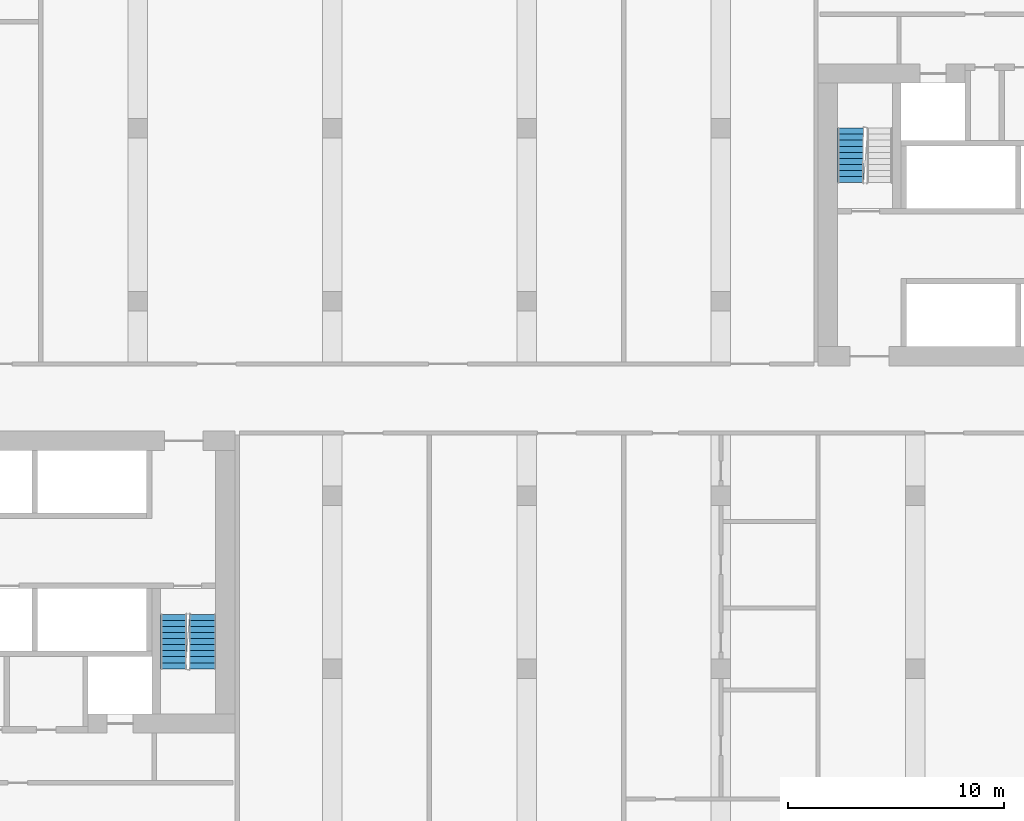
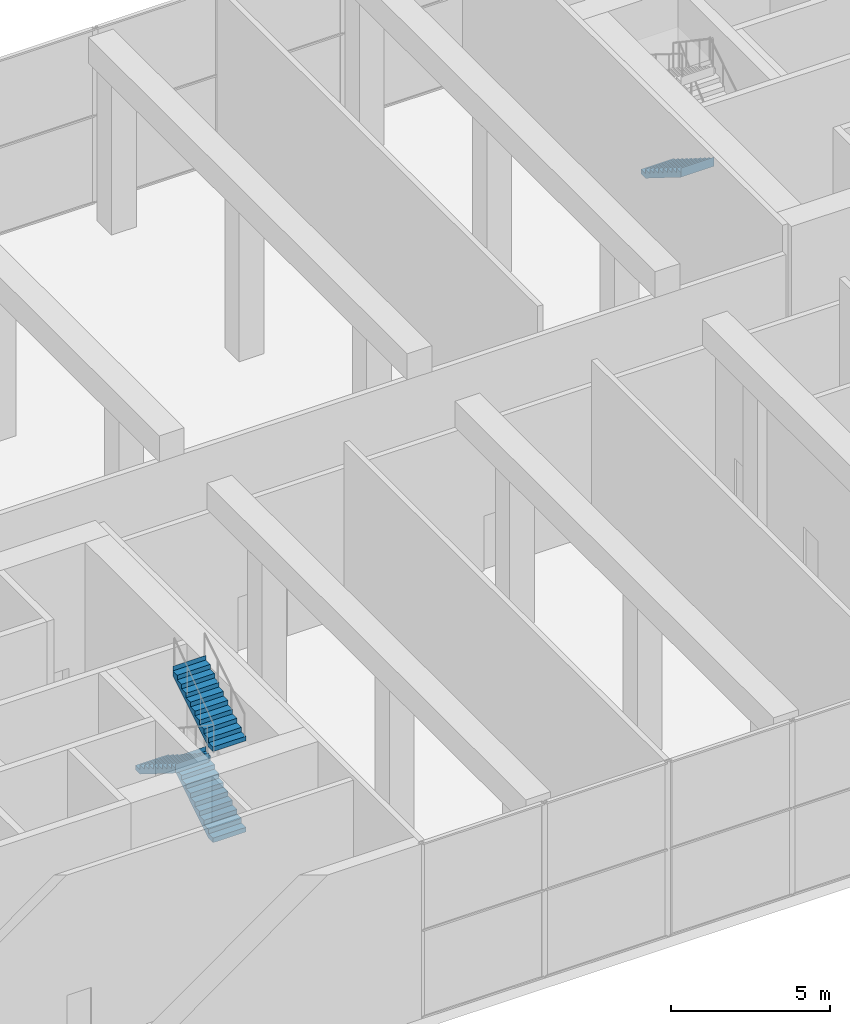
# One storey, part 18 of 23: 4 stair flights, 2 elements without a shape of their own.
"""IFC4 building model written with IfcOpenShell, lengths in metres."""

import ifcopenshell
import ifcopenshell.guid

model = None  # the IFC model being written
_history = None  # IfcOwnerHistory: only IFC2X3 demands one
_inside = {}  # id of a spatial element -> (the spatial element, [elements in it])
_under = {}  # id of a project, library or spatial element -> (it, [spatial elements below it])
_declared = {}  # id of a project -> (the project, [libraries it declares])
_typed = {}  # id of a type object -> (the type object, [elements of that type])
_made_of = {}  # id of a material, layer set ... -> (it, [elements and type objects made of it])


def new_model(schema):
    """Start an empty IFC model of exactly this schema.

    Asked for "IFC4X3", IfcOpenShell would pick the latest addendum, in which some entities
    have other attributes; the version numbers below select the first issue.
    IFC2X3 requires an IfcOwnerHistory on every rooted entity: one is made here for all.
    """
    global model, _history
    if schema == "IFC4X3":
        model = ifcopenshell.file(schema_version=(4, 3, 0, 0))
    else:
        model = ifcopenshell.file(schema=schema)
    _inside.clear()
    _under.clear()
    _declared.clear()
    _typed.clear()
    _made_of.clear()
    _history = None
    if model.schema == "IFC2X3":
        org = make("IfcOrganization", Name="unknown")
        user = make(
            "IfcPersonAndOrganization",
            ThePerson=make("IfcPerson", FamilyName="unknown"),
            TheOrganization=org,
        )
        app = make(
            "IfcApplication",
            ApplicationDeveloper=org,
            Version="unknown",
            ApplicationFullName="unknown",
            ApplicationIdentifier="unknown",
        )
        _history = make(
            "IfcOwnerHistory",
            OwningUser=user,
            OwningApplication=app,
            ChangeAction="ADDED",
            CreationDate=0,
        )
    return model


def make(cls, **values):
    """One entity of the class cls with the attributes given. An attribute that is None is left unset."""
    return model.create_entity(
        cls, **{name: value for name, value in values.items() if value is not None}
    )


def rooted(cls, **values):
    """An entity with a GlobalId (a new one), such as an element, a storey or a relation."""
    return make(cls, GlobalId=ifcopenshell.guid.new(), OwnerHistory=_history, **values)


def si_unit(unit_type, name, prefix=None):
    """IfcSIUnit, for example si_unit("LENGTHUNIT", "METRE", prefix="MILLI")."""
    return make("IfcSIUnit", UnitType=unit_type, Prefix=prefix, Name=name)


def assignment(units):
    """IfcUnitAssignment: the units of a project."""
    return None if units is None else make("IfcUnitAssignment", Units=units)


def point(xyz):
    """IfcCartesianPoint."""
    return None if xyz is None else make("IfcCartesianPoint", Coordinates=xyz)


def direction(xyz):
    """IfcDirection."""
    return None if xyz is None else make("IfcDirection", DirectionRatios=xyz)


def frame(location, z_axis=None, x_axis=None):
    """IfcAxis2Placement3D, a coordinate frame: its origin and axes. An axis left out is left unset."""
    return make(
        "IfcAxis2Placement3D",
        Location=point(location),
        Axis=direction(z_axis),
        RefDirection=direction(x_axis),
    )


def origin():
    """The frame at (0, 0, 0) with its axes left unset."""
    return frame((0.0, 0.0, 0.0))


def place(relative_to, where):
    """IfcLocalPlacement: puts the frame where relative to a parent placement (None: the world)."""
    return make(
        "IfcLocalPlacement", PlacementRelTo=relative_to, RelativePlacement=where
    )


def context(
    kind, dimensions, precision=None, world=None, true_north=None, identifier=None
):
    """IfcGeometricRepresentationContext, for example the 3D "Model" context."""
    return make(
        "IfcGeometricRepresentationContext",
        ContextIdentifier=identifier,
        ContextType=kind,
        CoordinateSpaceDimension=dimensions,
        Precision=precision,
        WorldCoordinateSystem=world,
        TrueNorth=true_north,
    )


def subcontext(parent, identifier, kind, view, scale=None):
    """IfcGeometricRepresentationSubContext, for example "Body" below "Model"."""
    return make(
        "IfcGeometricRepresentationSubContext",
        ContextIdentifier=identifier,
        ContextType=kind,
        ParentContext=parent,
        TargetScale=scale,
        TargetView=view,
    )


def project(units=None, contexts=None):
    """IfcProject with its units and contexts."""
    return rooted(
        "IfcProject",
        Name="project",
        RepresentationContexts=contexts,
        UnitsInContext=assignment(units),
    )


def spatial(cls, under=None, at=None, **own):
    """A site, building, storey or space (cls), placed at a placement, below another one or the project."""
    s = rooted(cls, ObjectPlacement=at, **own)
    if under is not None:
        _under.setdefault(under.id(), (under, []))[1].append(s)
    return s


def faces_of(points, faces, orient=None, outer=None):
    """IfcFace entities. A face is a list of loops; a loop is a list of indices into points, from 0.

    orient and outer hold one flag for each loop. By default every Orientation is true, the
    first loop of a face is its IfcFaceOuterBound and the others are IfcFaceBound.
    """
    made = []
    for i, loops in enumerate(faces):
        bounds = []
        for j, loop in enumerate(loops):
            is_outer = j == 0 if outer is None else outer[i][j]
            bounds.append(
                make(
                    "IfcFaceOuterBound" if is_outer else "IfcFaceBound",
                    Bound=make("IfcPolyLoop", Polygon=[points[k] for k in loop]),
                    Orientation=True if orient is None else orient[i][j],
                )
            )
        made.append(make("IfcFace", Bounds=bounds))
    return made


def faceted_brep(points, faces, orient=None, outer=None, voids=None):
    """IfcFacetedBrep: a solid bounded by flat faces; with voids (closed shells), ...WithVoids."""
    shared = [point(p) for p in points]
    hull = make("IfcClosedShell", CfsFaces=faces_of(shared, faces, orient, outer))
    if voids is None:
        return make("IfcFacetedBrep", Outer=hull)
    return make(
        "IfcFacetedBrepWithVoids",
        Outer=hull,
        Voids=[
            make(cls, CfsFaces=faces_of(shared, fs, o, b)) for cls, fs, o, b in voids
        ],
    )


def shape(context_of_items, identifier, shape_type, items):
    """IfcShapeRepresentation: the items that make up one representation, for example the "Body"."""
    return make(
        "IfcShapeRepresentation",
        ContextOfItems=context_of_items,
        RepresentationIdentifier=identifier,
        RepresentationType=shape_type,
        Items=items,
    )


def material(Name=None, Category=None):
    """IfcMaterial."""
    return make("IfcMaterial", Name=Name, Category=Category)


def made_of(thing, what):
    """Note that an element or type object is made of a material, layer set ...; save() writes the relation."""
    if what is not None:
        _made_of.setdefault(what.id(), (what, []))[1].append(thing)
    return thing


def type_object(cls, material=None, **own):
    """A type object (cls), such as IfcWallType, which elements share."""
    return made_of(rooted(cls, **own), material)


def element(
    cls,
    number,
    at=None,
    inside=None,
    cuts=None,
    type_object=None,
    material=None,
    context=None,
    identifier="Body",
    shape_type=None,
    held_by="IfcProductDefinitionShape",
    body=None,
    shapes=None,
    **own,
):
    """One element of the class cls, such as IfcWall. Its Tag is "e" and its number.

    at: its placement. inside: the storey or other place that contains it. cuts: it is an
    opening in that element (IfcRelVoidsElement). A single representation is given by context,
    identifier, shape_type and body (its items); several are given by shapes. held_by: the class
    of the entity that holds the representations. save() writes the other relations.
    """
    e = rooted(cls, Tag="e%d" % number, ObjectPlacement=at, **own)
    if body is not None:
        shapes = [shape(context, identifier, shape_type, body)]
    if shapes is not None:
        e.Representation = make(held_by, Representations=shapes)
    if inside is not None:
        _inside.setdefault(inside.id(), (inside, []))[1].append(e)
    if cuts is not None:
        rooted(
            "IfcRelVoidsElement", RelatingBuildingElement=cuts, RelatedOpeningElement=e
        )
    if type_object is not None:
        _typed.setdefault(type_object.id(), (type_object, []))[1].append(e)
    return made_of(e, material)


def aggregate(whole, parts):
    """IfcRelAggregates: a whole, such as a stair, and the parts it consists of."""
    return rooted("IfcRelAggregates", RelatingObject=whole, RelatedObjects=parts)


def save(model, path):
    """Write the relations noted so far, then the file.

    IfcRelAggregates (storeys below a building ...), IfcRelContainedInSpatialStructure (elements
    in a storey), IfcRelDefinesByType, IfcRelAssociatesMaterial and IfcRelDeclares: one each for
    every whole, place, type object, material and project.
    """
    for whole, parts in _under.values():
        aggregate(whole, parts)
    for where, things in _inside.values():
        rooted(
            "IfcRelContainedInSpatialStructure",
            RelatedElements=things,
            RelatingStructure=where,
        )
    for kind, things in _typed.values():
        rooted("IfcRelDefinesByType", RelatedObjects=things, RelatingType=kind)
    for what, things in _made_of.values():
        rooted("IfcRelAssociatesMaterial", RelatedObjects=things, RelatingMaterial=what)
    for by, libraries in _declared.values():
        rooted("IfcRelDeclares", RelatingContext=by, RelatedDefinitions=libraries)
    model.write(path)


model = new_model("IFC4")

# Units and contexts
model_context = context("Model", 3, precision=1e-05, world=origin(), true_north=direction((0.0, 1.0)))
body_context = subcontext(model_context, "Body", "Model", "MODEL_VIEW")
ifc_project = project(units=[si_unit("LENGTHUNIT", "METRE"), si_unit("AREAUNIT", "SQUARE_METRE"), si_unit("VOLUMEUNIT", "CUBIC_METRE"), si_unit("PLANEANGLEUNIT", "RADIAN"), si_unit("MASSUNIT", "GRAM", prefix="KILO")], contexts=[model_context])

# Site, building, storey
site_placement = place(None, origin())
site = spatial("IfcSite", under=ifc_project, at=site_placement, CompositionType="ELEMENT")
building_placement = place(site_placement, origin())
building = spatial("IfcBuilding", under=site, at=building_placement, Name="Kajstack Hotel Tower", CompositionType="ELEMENT")
storey_placement = place(building_placement, frame((0.0, 0.0, 53.0)))
storey = spatial("IfcBuildingStorey", under=building, at=storey_placement, Name="L08", CompositionType="ELEMENT", Elevation=53.0)

# Stair, stair flights
ifc_material = material(Name="Concrete C40/50", Category="concrete")
stair_type = type_object("IfcStairType", Name="Exit stair 1200", PredefinedType="HALF_TURN_STAIR", material=ifc_material)
stair_1_placement = place(storey_placement, origin())
stair_1 = element("IfcStair", 1, at=stair_1_placement, inside=storey, type_object=stair_type, Name="L08 stair W2", PredefinedType="HALF_TURN_STAIR")
stair_flight_type = type_object("IfcStairFlightType", Name="Exit stair flight 1200", PredefinedType="STRAIGHT", material=ifc_material)
stair_flight_1_placement = place(storey_placement, frame((-15.0, -12.52001953125, 1.75), z_axis=(0.0, 0.0, 1.0), x_axis=(0.0, 1.0, 0.0)))
stair_flight_1 = element("IfcStairFlight", 2, at=stair_flight_1_placement, type_object=stair_flight_type, Name="W2 flight 2", NumberOfRisers=10, NumberOfTreads=9, PredefinedType="STRAIGHT", RiserHeight=0.175, TreadLength=0.28, context=body_context, shape_type="Brep", body=[
    faceted_brep([(0.283447265625, -0.60009765625, 0.0), (2.5205078125, -0.60009765625, 1.398193359375), (2.5205078125, -0.60009765625, 1.75), (2.52001953125, -0.60009765625, 1.75), (2.52001953125, -0.60009765625, 1.574951171875), (2.239990234375, -0.60009765625, 1.574951171875), (2.239990234375, -0.60009765625, 1.39990234375), (1.9599609375, -0.60009765625, 1.39990234375), (1.9599609375, -0.60009765625, 1.22509765625), (1.679931640625, -0.60009765625, 1.22509765625), (1.679931640625, -0.60009765625, 1.050048828125), (1.39990234375, -0.60009765625, 1.050048828125), (1.39990234375, -0.60009765625, 0.875), (1.1201171875, -0.60009765625, 0.875), (1.1201171875, -0.60009765625, 0.699951171875), (0.840087890625, -0.60009765625, 0.699951171875), (0.840087890625, -0.60009765625, 0.52490234375), (0.56005859375, -0.60009765625, 0.52490234375), (0.56005859375, -0.60009765625, 0.35009765625), (0.280029296875, -0.60009765625, 0.35009765625), (0.280029296875, -0.60009765625, 0.175048828125), (-0.00048828125, -0.60009765625, 0.175048828125), (-0.00048828125, -0.60009765625, 0.0), (-0.00048828125, 0.60009765625, 0.0), (-0.00048828125, 0.60009765625, 0.175048828125), (0.280029296875, 0.60009765625, 0.175048828125), (0.280029296875, 0.60009765625, 0.35009765625), (0.56005859375, 0.60009765625, 0.35009765625), (0.56005859375, 0.60009765625, 0.52490234375), (0.840087890625, 0.60009765625, 0.52490234375), (0.840087890625, 0.60009765625, 0.699951171875), (1.1201171875, 0.60009765625, 0.699951171875), (1.1201171875, 0.60009765625, 0.875), (1.39990234375, 0.60009765625, 0.875), (1.39990234375, 0.60009765625, 1.050048828125), (1.679931640625, 0.60009765625, 1.050048828125), (1.679931640625, 0.60009765625, 1.22509765625), (1.9599609375, 0.60009765625, 1.22509765625), (1.9599609375, 0.60009765625, 1.39990234375), (2.239990234375, 0.60009765625, 1.39990234375), (2.239990234375, 0.60009765625, 1.574951171875), (2.52001953125, 0.60009765625, 1.574951171875), (2.52001953125, 0.60009765625, 1.75), (2.5205078125, 0.60009765625, 1.75), (2.5205078125, 0.60009765625, 1.398193359375), (0.283447265625, 0.60009765625, 0.0), (-0.00048828125, -0.300048828125, 0.175048828125), (-0.00048828125, 0.0, 0.175048828125), (-0.00048828125, 0.300048828125, 0.175048828125), (-0.00048828125, 0.300048828125, 0.0), (-0.00048828125, 0.0, 0.0), (-0.00048828125, -0.300048828125, 0.0), (0.280029296875, -0.300048828125, 0.175048828125), (0.280029296875, 0.0, 0.175048828125), (0.280029296875, 0.300048828125, 0.175048828125), (0.280029296875, -0.300048828125, 0.35009765625), (0.280029296875, 0.0, 0.35009765625), (0.280029296875, 0.300048828125, 0.35009765625), (0.56005859375, -0.300048828125, 0.35009765625), (0.56005859375, 0.0, 0.35009765625), (0.56005859375, 0.300048828125, 0.35009765625), (0.56005859375, -0.300048828125, 0.52490234375), (0.56005859375, 0.0, 0.52490234375), (0.56005859375, 0.300048828125, 0.52490234375), (0.840087890625, -0.300048828125, 0.52490234375), (0.840087890625, 0.0, 0.52490234375), (0.840087890625, 0.300048828125, 0.52490234375), (0.840087890625, -0.300048828125, 0.699951171875), (0.840087890625, 0.0, 0.699951171875), (0.840087890625, 0.300048828125, 0.699951171875), (1.1201171875, -0.300048828125, 0.699951171875), (1.1201171875, 0.0, 0.699951171875), (1.1201171875, 0.300048828125, 0.699951171875), (1.1201171875, -0.300048828125, 0.875), (1.1201171875, 0.0, 0.875), (1.1201171875, 0.300048828125, 0.875), (1.39990234375, -0.300048828125, 0.875), (1.39990234375, 0.0, 0.875), (1.39990234375, 0.300048828125, 0.875), (1.39990234375, -0.300048828125, 1.050048828125), (1.39990234375, 0.0, 1.050048828125), (1.39990234375, 0.300048828125, 1.050048828125), (1.679931640625, -0.300048828125, 1.050048828125), (1.679931640625, 0.0, 1.050048828125), (1.679931640625, 0.300048828125, 1.050048828125), (1.679931640625, -0.300048828125, 1.22509765625), (1.679931640625, 0.0, 1.22509765625), (1.679931640625, 0.300048828125, 1.22509765625), (1.9599609375, -0.300048828125, 1.22509765625), (1.9599609375, 0.0, 1.22509765625), (1.9599609375, 0.300048828125, 1.22509765625), (1.9599609375, -0.300048828125, 1.39990234375), (1.9599609375, 0.0, 1.39990234375), (1.9599609375, 0.300048828125, 1.39990234375), (2.239990234375, -0.300048828125, 1.39990234375), (2.239990234375, 0.0, 1.39990234375), (2.239990234375, 0.300048828125, 1.39990234375), (2.239990234375, -0.300048828125, 1.574951171875), (2.239990234375, 0.0, 1.574951171875), (2.239990234375, 0.300048828125, 1.574951171875), (2.52001953125, -0.300048828125, 1.574951171875), (2.52001953125, 0.0, 1.574951171875), (2.52001953125, 0.300048828125, 1.574951171875), (2.52001953125, -0.300048828125, 1.75), (2.52001953125, 0.0, 1.75), (2.52001953125, 0.300048828125, 1.75), (2.5205078125, -0.300048828125, 1.75), (2.5205078125, 0.0, 1.75), (2.5205078125, 0.300048828125, 1.75), (2.5205078125, -0.300048828125, 1.398193359375), (2.5205078125, 0.0, 1.398193359375), (2.5205078125, 0.300048828125, 1.398193359375), (0.283447265625, -0.300048828125, 0.0), (0.283447265625, 0.0, 0.0), (0.283447265625, 0.300048828125, 0.0)], [[[0, 1, 2, 3, 4, 5, 6, 7, 8, 9, 10, 11, 12, 13, 14, 15, 16, 17, 18, 19, 20, 21, 22]], [[23, 24, 25, 26, 27, 28, 29, 30, 31, 32, 33, 34, 35, 36, 37, 38, 39, 40, 41, 42, 43, 44, 45]], [[21, 46, 47, 48, 24, 23, 49, 50, 51, 22]], [[20, 52, 53, 54, 25, 24, 48, 47, 46, 21]], [[19, 55, 56, 57, 26, 25, 54, 53, 52, 20]], [[18, 58, 59, 60, 27, 26, 57, 56, 55, 19]], [[17, 61, 62, 63, 28, 27, 60, 59, 58, 18]], [[16, 64, 65, 66, 29, 28, 63, 62, 61, 17]], [[15, 67, 68, 69, 30, 29, 66, 65, 64, 16]], [[14, 70, 71, 72, 31, 30, 69, 68, 67, 15]], [[13, 73, 74, 75, 32, 31, 72, 71, 70, 14]], [[12, 76, 77, 78, 33, 32, 75, 74, 73, 13]], [[11, 79, 80, 81, 34, 33, 78, 77, 76, 12]], [[10, 82, 83, 84, 35, 34, 81, 80, 79, 11]], [[9, 85, 86, 87, 36, 35, 84, 83, 82, 10]], [[8, 88, 89, 90, 37, 36, 87, 86, 85, 9]], [[7, 91, 92, 93, 38, 37, 90, 89, 88, 8]], [[6, 94, 95, 96, 39, 38, 93, 92, 91, 7]], [[5, 97, 98, 99, 40, 39, 96, 95, 94, 6]], [[4, 100, 101, 102, 41, 40, 99, 98, 97, 5]], [[3, 103, 104, 105, 42, 41, 102, 101, 100, 4]], [[2, 106, 107, 108, 43, 42, 105, 104, 103, 3]], [[1, 109, 110, 111, 44, 43, 108, 107, 106, 2]], [[0, 112, 113, 114, 45, 44, 111, 110, 109, 1]], [[22, 51, 50, 49, 23, 45, 114, 113, 112, 0]]]),
])
stair_flight_2_placement = place(storey_placement, frame((-16.35009765625, -10.0, 3.5), z_axis=(0.0, 0.0, 1.0), x_axis=(0.0, -1.0, 0.0)))
stair_flight_2 = element("IfcStairFlight", 3, at=stair_flight_2_placement, type_object=stair_flight_type, Name="W2 flight 3", NumberOfRisers=10, NumberOfTreads=9, PredefinedType="STRAIGHT", RiserHeight=0.175, TreadLength=0.28, context=body_context, shape_type="Brep", body=[
    faceted_brep([(0.283447265625, -0.60009765625, 0.0), (2.5205078125, -0.60009765625, 1.398193359375), (2.5205078125, -0.60009765625, 1.75), (2.52001953125, -0.60009765625, 1.75), (2.52001953125, -0.60009765625, 1.574951171875), (2.239990234375, -0.60009765625, 1.574951171875), (2.239990234375, -0.60009765625, 1.39990234375), (1.9599609375, -0.60009765625, 1.39990234375), (1.9599609375, -0.60009765625, 1.22509765625), (1.679931640625, -0.60009765625, 1.22509765625), (1.679931640625, -0.60009765625, 1.050048828125), (1.39990234375, -0.60009765625, 1.050048828125), (1.39990234375, -0.60009765625, 0.875), (1.1201171875, -0.60009765625, 0.875), (1.1201171875, -0.60009765625, 0.699951171875), (0.840087890625, -0.60009765625, 0.699951171875), (0.840087890625, -0.60009765625, 0.52490234375), (0.56005859375, -0.60009765625, 0.52490234375), (0.56005859375, -0.60009765625, 0.35009765625), (0.280029296875, -0.60009765625, 0.35009765625), (0.280029296875, -0.60009765625, 0.175048828125), (-0.00048828125, -0.60009765625, 0.175048828125), (-0.00048828125, -0.60009765625, 0.0), (-0.00048828125, 0.60009765625, 0.0), (-0.00048828125, 0.60009765625, 0.175048828125), (0.280029296875, 0.60009765625, 0.175048828125), (0.280029296875, 0.60009765625, 0.35009765625), (0.56005859375, 0.60009765625, 0.35009765625), (0.56005859375, 0.60009765625, 0.52490234375), (0.840087890625, 0.60009765625, 0.52490234375), (0.840087890625, 0.60009765625, 0.699951171875), (1.1201171875, 0.60009765625, 0.699951171875), (1.1201171875, 0.60009765625, 0.875), (1.39990234375, 0.60009765625, 0.875), (1.39990234375, 0.60009765625, 1.050048828125), (1.679931640625, 0.60009765625, 1.050048828125), (1.679931640625, 0.60009765625, 1.22509765625), (1.9599609375, 0.60009765625, 1.22509765625), (1.9599609375, 0.60009765625, 1.39990234375), (2.239990234375, 0.60009765625, 1.39990234375), (2.239990234375, 0.60009765625, 1.574951171875), (2.52001953125, 0.60009765625, 1.574951171875), (2.52001953125, 0.60009765625, 1.75), (2.5205078125, 0.60009765625, 1.75), (2.5205078125, 0.60009765625, 1.398193359375), (0.283447265625, 0.60009765625, 0.0), (-0.00048828125, -0.300048828125, 0.175048828125), (-0.00048828125, 0.0, 0.175048828125), (-0.00048828125, 0.300048828125, 0.175048828125), (-0.00048828125, 0.300048828125, 0.0), (-0.00048828125, 0.0, 0.0), (-0.00048828125, -0.300048828125, 0.0), (0.280029296875, -0.300048828125, 0.175048828125), (0.280029296875, 0.0, 0.175048828125), (0.280029296875, 0.300048828125, 0.175048828125), (0.280029296875, -0.300048828125, 0.35009765625), (0.280029296875, 0.0, 0.35009765625), (0.280029296875, 0.300048828125, 0.35009765625), (0.56005859375, -0.300048828125, 0.35009765625), (0.56005859375, 0.0, 0.35009765625), (0.56005859375, 0.300048828125, 0.35009765625), (0.56005859375, -0.300048828125, 0.52490234375), (0.56005859375, 0.0, 0.52490234375), (0.56005859375, 0.300048828125, 0.52490234375), (0.840087890625, -0.300048828125, 0.52490234375), (0.840087890625, 0.0, 0.52490234375), (0.840087890625, 0.300048828125, 0.52490234375), (0.840087890625, -0.300048828125, 0.699951171875), (0.840087890625, 0.0, 0.699951171875), (0.840087890625, 0.300048828125, 0.699951171875), (1.1201171875, -0.300048828125, 0.699951171875), (1.1201171875, 0.0, 0.699951171875), (1.1201171875, 0.300048828125, 0.699951171875), (1.1201171875, -0.300048828125, 0.875), (1.1201171875, 0.0, 0.875), (1.1201171875, 0.300048828125, 0.875), (1.39990234375, -0.300048828125, 0.875), (1.39990234375, 0.0, 0.875), (1.39990234375, 0.300048828125, 0.875), (1.39990234375, -0.300048828125, 1.050048828125), (1.39990234375, 0.0, 1.050048828125), (1.39990234375, 0.300048828125, 1.050048828125), (1.679931640625, -0.300048828125, 1.050048828125), (1.679931640625, 0.0, 1.050048828125), (1.679931640625, 0.300048828125, 1.050048828125), (1.679931640625, -0.300048828125, 1.22509765625), (1.679931640625, 0.0, 1.22509765625), (1.679931640625, 0.300048828125, 1.22509765625), (1.9599609375, -0.300048828125, 1.22509765625), (1.9599609375, 0.0, 1.22509765625), (1.9599609375, 0.300048828125, 1.22509765625), (1.9599609375, -0.300048828125, 1.39990234375), (1.9599609375, 0.0, 1.39990234375), (1.9599609375, 0.300048828125, 1.39990234375), (2.239990234375, -0.300048828125, 1.39990234375), (2.239990234375, 0.0, 1.39990234375), (2.239990234375, 0.300048828125, 1.39990234375), (2.239990234375, -0.300048828125, 1.574951171875), (2.239990234375, 0.0, 1.574951171875), (2.239990234375, 0.300048828125, 1.574951171875), (2.52001953125, -0.300048828125, 1.574951171875), (2.52001953125, 0.0, 1.574951171875), (2.52001953125, 0.300048828125, 1.574951171875), (2.52001953125, -0.300048828125, 1.75), (2.52001953125, 0.0, 1.75), (2.52001953125, 0.300048828125, 1.75), (2.5205078125, -0.300048828125, 1.75), (2.5205078125, 0.0, 1.75), (2.5205078125, 0.300048828125, 1.75), (2.5205078125, -0.300048828125, 1.398193359375), (2.5205078125, 0.0, 1.398193359375), (2.5205078125, 0.300048828125, 1.398193359375), (0.283447265625, -0.300048828125, 0.0), (0.283447265625, 0.0, 0.0), (0.283447265625, 0.300048828125, 0.0)], [[[0, 1, 2, 3, 4, 5, 6, 7, 8, 9, 10, 11, 12, 13, 14, 15, 16, 17, 18, 19, 20, 21, 22]], [[23, 24, 25, 26, 27, 28, 29, 30, 31, 32, 33, 34, 35, 36, 37, 38, 39, 40, 41, 42, 43, 44, 45]], [[21, 46, 47, 48, 24, 23, 49, 50, 51, 22]], [[20, 52, 53, 54, 25, 24, 48, 47, 46, 21]], [[19, 55, 56, 57, 26, 25, 54, 53, 52, 20]], [[18, 58, 59, 60, 27, 26, 57, 56, 55, 19]], [[17, 61, 62, 63, 28, 27, 60, 59, 58, 18]], [[16, 64, 65, 66, 29, 28, 63, 62, 61, 17]], [[15, 67, 68, 69, 30, 29, 66, 65, 64, 16]], [[14, 70, 71, 72, 31, 30, 69, 68, 67, 15]], [[13, 73, 74, 75, 32, 31, 72, 71, 70, 14]], [[12, 76, 77, 78, 33, 32, 75, 74, 73, 13]], [[11, 79, 80, 81, 34, 33, 78, 77, 76, 12]], [[10, 82, 83, 84, 35, 34, 81, 80, 79, 11]], [[9, 85, 86, 87, 36, 35, 84, 83, 82, 10]], [[8, 88, 89, 90, 37, 36, 87, 86, 85, 9]], [[7, 91, 92, 93, 38, 37, 90, 89, 88, 8]], [[6, 94, 95, 96, 39, 38, 93, 92, 91, 7]], [[5, 97, 98, 99, 40, 39, 96, 95, 94, 6]], [[4, 100, 101, 102, 41, 40, 99, 98, 97, 5]], [[3, 103, 104, 105, 42, 41, 102, 101, 100, 4]], [[2, 106, 107, 108, 43, 42, 105, 104, 103, 3]], [[1, 109, 110, 111, 44, 43, 108, 107, 106, 2]], [[0, 112, 113, 114, 45, 44, 111, 110, 109, 1]], [[22, 51, 50, 49, 23, 45, 114, 113, 112, 0]]]),
])
stair_flight_3_placement = place(storey_placement, frame((-15.0, -12.52001953125, 5.25), z_axis=(0.0, 0.0, 1.0), x_axis=(0.0, 1.0, 0.0)))
stair_flight_3 = element("IfcStairFlight", 4, at=stair_flight_3_placement, type_object=stair_flight_type, Name="W2 flight 4", NumberOfRisers=10, NumberOfTreads=9, PredefinedType="STRAIGHT", RiserHeight=0.175, TreadLength=0.28, context=body_context, shape_type="Brep", body=[
    faceted_brep([(0.283447265625, -0.60009765625, 0.0), (2.5205078125, -0.60009765625, 1.398193359375), (2.5205078125, -0.60009765625, 1.75), (2.52001953125, -0.60009765625, 1.75), (2.52001953125, -0.60009765625, 1.574951171875), (2.239990234375, -0.60009765625, 1.574951171875), (2.239990234375, -0.60009765625, 1.39990234375), (1.9599609375, -0.60009765625, 1.39990234375), (1.9599609375, -0.60009765625, 1.22509765625), (1.679931640625, -0.60009765625, 1.22509765625), (1.679931640625, -0.60009765625, 1.050048828125), (1.39990234375, -0.60009765625, 1.050048828125), (1.39990234375, -0.60009765625, 0.875), (1.1201171875, -0.60009765625, 0.875), (1.1201171875, -0.60009765625, 0.699951171875), (0.840087890625, -0.60009765625, 0.699951171875), (0.840087890625, -0.60009765625, 0.52490234375), (0.56005859375, -0.60009765625, 0.52490234375), (0.56005859375, -0.60009765625, 0.35009765625), (0.280029296875, -0.60009765625, 0.35009765625), (0.280029296875, -0.60009765625, 0.175048828125), (-0.00048828125, -0.60009765625, 0.175048828125), (-0.00048828125, -0.60009765625, 0.0), (-0.00048828125, 0.60009765625, 0.0), (-0.00048828125, 0.60009765625, 0.175048828125), (0.280029296875, 0.60009765625, 0.175048828125), (0.280029296875, 0.60009765625, 0.35009765625), (0.56005859375, 0.60009765625, 0.35009765625), (0.56005859375, 0.60009765625, 0.52490234375), (0.840087890625, 0.60009765625, 0.52490234375), (0.840087890625, 0.60009765625, 0.699951171875), (1.1201171875, 0.60009765625, 0.699951171875), (1.1201171875, 0.60009765625, 0.875), (1.39990234375, 0.60009765625, 0.875), (1.39990234375, 0.60009765625, 1.050048828125), (1.679931640625, 0.60009765625, 1.050048828125), (1.679931640625, 0.60009765625, 1.22509765625), (1.9599609375, 0.60009765625, 1.22509765625), (1.9599609375, 0.60009765625, 1.39990234375), (2.239990234375, 0.60009765625, 1.39990234375), (2.239990234375, 0.60009765625, 1.574951171875), (2.52001953125, 0.60009765625, 1.574951171875), (2.52001953125, 0.60009765625, 1.75), (2.5205078125, 0.60009765625, 1.75), (2.5205078125, 0.60009765625, 1.398193359375), (0.283447265625, 0.60009765625, 0.0), (-0.00048828125, -0.300048828125, 0.175048828125), (-0.00048828125, 0.0, 0.175048828125), (-0.00048828125, 0.300048828125, 0.175048828125), (-0.00048828125, 0.300048828125, 0.0), (-0.00048828125, 0.0, 0.0), (-0.00048828125, -0.300048828125, 0.0), (0.280029296875, -0.300048828125, 0.175048828125), (0.280029296875, 0.0, 0.175048828125), (0.280029296875, 0.300048828125, 0.175048828125), (0.280029296875, -0.300048828125, 0.35009765625), (0.280029296875, 0.0, 0.35009765625), (0.280029296875, 0.300048828125, 0.35009765625), (0.56005859375, -0.300048828125, 0.35009765625), (0.56005859375, 0.0, 0.35009765625), (0.56005859375, 0.300048828125, 0.35009765625), (0.56005859375, -0.300048828125, 0.52490234375), (0.56005859375, 0.0, 0.52490234375), (0.56005859375, 0.300048828125, 0.52490234375), (0.840087890625, -0.300048828125, 0.52490234375), (0.840087890625, 0.0, 0.52490234375), (0.840087890625, 0.300048828125, 0.52490234375), (0.840087890625, -0.300048828125, 0.699951171875), (0.840087890625, 0.0, 0.699951171875), (0.840087890625, 0.300048828125, 0.699951171875), (1.1201171875, -0.300048828125, 0.699951171875), (1.1201171875, 0.0, 0.699951171875), (1.1201171875, 0.300048828125, 0.699951171875), (1.1201171875, -0.300048828125, 0.875), (1.1201171875, 0.0, 0.875), (1.1201171875, 0.300048828125, 0.875), (1.39990234375, -0.300048828125, 0.875), (1.39990234375, 0.0, 0.875), (1.39990234375, 0.300048828125, 0.875), (1.39990234375, -0.300048828125, 1.050048828125), (1.39990234375, 0.0, 1.050048828125), (1.39990234375, 0.300048828125, 1.050048828125), (1.679931640625, -0.300048828125, 1.050048828125), (1.679931640625, 0.0, 1.050048828125), (1.679931640625, 0.300048828125, 1.050048828125), (1.679931640625, -0.300048828125, 1.22509765625), (1.679931640625, 0.0, 1.22509765625), (1.679931640625, 0.300048828125, 1.22509765625), (1.9599609375, -0.300048828125, 1.22509765625), (1.9599609375, 0.0, 1.22509765625), (1.9599609375, 0.300048828125, 1.22509765625), (1.9599609375, -0.300048828125, 1.39990234375), (1.9599609375, 0.0, 1.39990234375), (1.9599609375, 0.300048828125, 1.39990234375), (2.239990234375, -0.300048828125, 1.39990234375), (2.239990234375, 0.0, 1.39990234375), (2.239990234375, 0.300048828125, 1.39990234375), (2.239990234375, -0.300048828125, 1.574951171875), (2.239990234375, 0.0, 1.574951171875), (2.239990234375, 0.300048828125, 1.574951171875), (2.52001953125, -0.300048828125, 1.574951171875), (2.52001953125, 0.0, 1.574951171875), (2.52001953125, 0.300048828125, 1.574951171875), (2.52001953125, -0.300048828125, 1.75), (2.52001953125, 0.0, 1.75), (2.52001953125, 0.300048828125, 1.75), (2.5205078125, -0.300048828125, 1.75), (2.5205078125, 0.0, 1.75), (2.5205078125, 0.300048828125, 1.75), (2.5205078125, -0.300048828125, 1.398193359375), (2.5205078125, 0.0, 1.398193359375), (2.5205078125, 0.300048828125, 1.398193359375), (0.283447265625, -0.300048828125, 0.0), (0.283447265625, 0.0, 0.0), (0.283447265625, 0.300048828125, 0.0)], [[[0, 1, 2, 3, 4, 5, 6, 7, 8, 9, 10, 11, 12, 13, 14, 15, 16, 17, 18, 19, 20, 21, 22]], [[23, 24, 25, 26, 27, 28, 29, 30, 31, 32, 33, 34, 35, 36, 37, 38, 39, 40, 41, 42, 43, 44, 45]], [[21, 46, 47, 48, 24, 23, 49, 50, 51, 22]], [[20, 52, 53, 54, 25, 24, 48, 47, 46, 21]], [[19, 55, 56, 57, 26, 25, 54, 53, 52, 20]], [[18, 58, 59, 60, 27, 26, 57, 56, 55, 19]], [[17, 61, 62, 63, 28, 27, 60, 59, 58, 18]], [[16, 64, 65, 66, 29, 28, 63, 62, 61, 17]], [[15, 67, 68, 69, 30, 29, 66, 65, 64, 16]], [[14, 70, 71, 72, 31, 30, 69, 68, 67, 15]], [[13, 73, 74, 75, 32, 31, 72, 71, 70, 14]], [[12, 76, 77, 78, 33, 32, 75, 74, 73, 13]], [[11, 79, 80, 81, 34, 33, 78, 77, 76, 12]], [[10, 82, 83, 84, 35, 34, 81, 80, 79, 11]], [[9, 85, 86, 87, 36, 35, 84, 83, 82, 10]], [[8, 88, 89, 90, 37, 36, 87, 86, 85, 9]], [[7, 91, 92, 93, 38, 37, 90, 89, 88, 8]], [[6, 94, 95, 96, 39, 38, 93, 92, 91, 7]], [[5, 97, 98, 99, 40, 39, 96, 95, 94, 6]], [[4, 100, 101, 102, 41, 40, 99, 98, 97, 5]], [[3, 103, 104, 105, 42, 41, 102, 101, 100, 4]], [[2, 106, 107, 108, 43, 42, 105, 104, 103, 3]], [[1, 109, 110, 111, 44, 43, 108, 107, 106, 2]], [[0, 112, 113, 114, 45, 44, 111, 110, 109, 1]], [[22, 51, 50, 49, 23, 45, 114, 113, 112, 0]]]),
])
aggregate(stair_1, [stair_flight_1, stair_flight_2, stair_flight_3])

# Stair, stair flight
stair_2_placement = place(storey_placement, origin())
stair_2 = element("IfcStair", 5, at=stair_2_placement, inside=storey, type_object=stair_type, Name="L08 stair E2", PredefinedType="HALF_TURN_STAIR")
stair_flight_4_placement = place(storey_placement, frame((15.0, 12.52001953125, 1.75), z_axis=(0.0, 0.0, 1.0), x_axis=(0.0, -1.0, 0.0)))
stair_flight_4 = element("IfcStairFlight", 6, at=stair_flight_4_placement, type_object=stair_flight_type, Name="E2 flight 2", NumberOfRisers=10, NumberOfTreads=9, PredefinedType="STRAIGHT", RiserHeight=0.175, TreadLength=0.28, context=body_context, shape_type="Brep", body=[
    faceted_brep([(0.283447265625, -0.60009765625, 0.0), (2.5205078125, -0.60009765625, 1.398193359375), (2.5205078125, -0.60009765625, 1.75), (2.52001953125, -0.60009765625, 1.75), (2.52001953125, -0.60009765625, 1.574951171875), (2.239990234375, -0.60009765625, 1.574951171875), (2.239990234375, -0.60009765625, 1.39990234375), (1.9599609375, -0.60009765625, 1.39990234375), (1.9599609375, -0.60009765625, 1.22509765625), (1.679931640625, -0.60009765625, 1.22509765625), (1.679931640625, -0.60009765625, 1.050048828125), (1.39990234375, -0.60009765625, 1.050048828125), (1.39990234375, -0.60009765625, 0.875), (1.1201171875, -0.60009765625, 0.875), (1.1201171875, -0.60009765625, 0.699951171875), (0.840087890625, -0.60009765625, 0.699951171875), (0.840087890625, -0.60009765625, 0.52490234375), (0.56005859375, -0.60009765625, 0.52490234375), (0.56005859375, -0.60009765625, 0.35009765625), (0.280029296875, -0.60009765625, 0.35009765625), (0.280029296875, -0.60009765625, 0.175048828125), (-0.00048828125, -0.60009765625, 0.175048828125), (-0.00048828125, -0.60009765625, 0.0), (-0.00048828125, 0.60009765625, 0.0), (-0.00048828125, 0.60009765625, 0.175048828125), (0.280029296875, 0.60009765625, 0.175048828125), (0.280029296875, 0.60009765625, 0.35009765625), (0.56005859375, 0.60009765625, 0.35009765625), (0.56005859375, 0.60009765625, 0.52490234375), (0.840087890625, 0.60009765625, 0.52490234375), (0.840087890625, 0.60009765625, 0.699951171875), (1.1201171875, 0.60009765625, 0.699951171875), (1.1201171875, 0.60009765625, 0.875), (1.39990234375, 0.60009765625, 0.875), (1.39990234375, 0.60009765625, 1.050048828125), (1.679931640625, 0.60009765625, 1.050048828125), (1.679931640625, 0.60009765625, 1.22509765625), (1.9599609375, 0.60009765625, 1.22509765625), (1.9599609375, 0.60009765625, 1.39990234375), (2.239990234375, 0.60009765625, 1.39990234375), (2.239990234375, 0.60009765625, 1.574951171875), (2.52001953125, 0.60009765625, 1.574951171875), (2.52001953125, 0.60009765625, 1.75), (2.5205078125, 0.60009765625, 1.75), (2.5205078125, 0.60009765625, 1.398193359375), (0.283447265625, 0.60009765625, 0.0), (-0.00048828125, -0.300048828125, 0.175048828125), (-0.00048828125, 0.0, 0.175048828125), (-0.00048828125, 0.300048828125, 0.175048828125), (-0.00048828125, 0.300048828125, 0.0), (-0.00048828125, 0.0, 0.0), (-0.00048828125, -0.300048828125, 0.0), (0.280029296875, -0.300048828125, 0.175048828125), (0.280029296875, 0.0, 0.175048828125), (0.280029296875, 0.300048828125, 0.175048828125), (0.280029296875, -0.300048828125, 0.35009765625), (0.280029296875, 0.0, 0.35009765625), (0.280029296875, 0.300048828125, 0.35009765625), (0.56005859375, -0.300048828125, 0.35009765625), (0.56005859375, 0.0, 0.35009765625), (0.56005859375, 0.300048828125, 0.35009765625), (0.56005859375, -0.300048828125, 0.52490234375), (0.56005859375, 0.0, 0.52490234375), (0.56005859375, 0.300048828125, 0.52490234375), (0.840087890625, -0.300048828125, 0.52490234375), (0.840087890625, 0.0, 0.52490234375), (0.840087890625, 0.300048828125, 0.52490234375), (0.840087890625, -0.300048828125, 0.699951171875), (0.840087890625, 0.0, 0.699951171875), (0.840087890625, 0.300048828125, 0.699951171875), (1.1201171875, -0.300048828125, 0.699951171875), (1.1201171875, 0.0, 0.699951171875), (1.1201171875, 0.300048828125, 0.699951171875), (1.1201171875, -0.300048828125, 0.875), (1.1201171875, 0.0, 0.875), (1.1201171875, 0.300048828125, 0.875), (1.39990234375, -0.300048828125, 0.875), (1.39990234375, 0.0, 0.875), (1.39990234375, 0.300048828125, 0.875), (1.39990234375, -0.300048828125, 1.050048828125), (1.39990234375, 0.0, 1.050048828125), (1.39990234375, 0.300048828125, 1.050048828125), (1.679931640625, -0.300048828125, 1.050048828125), (1.679931640625, 0.0, 1.050048828125), (1.679931640625, 0.300048828125, 1.050048828125), (1.679931640625, -0.300048828125, 1.22509765625), (1.679931640625, 0.0, 1.22509765625), (1.679931640625, 0.300048828125, 1.22509765625), (1.9599609375, -0.300048828125, 1.22509765625), (1.9599609375, 0.0, 1.22509765625), (1.9599609375, 0.300048828125, 1.22509765625), (1.9599609375, -0.300048828125, 1.39990234375), (1.9599609375, 0.0, 1.39990234375), (1.9599609375, 0.300048828125, 1.39990234375), (2.239990234375, -0.300048828125, 1.39990234375), (2.239990234375, 0.0, 1.39990234375), (2.239990234375, 0.300048828125, 1.39990234375), (2.239990234375, -0.300048828125, 1.574951171875), (2.239990234375, 0.0, 1.574951171875), (2.239990234375, 0.300048828125, 1.574951171875), (2.52001953125, -0.300048828125, 1.574951171875), (2.52001953125, 0.0, 1.574951171875), (2.52001953125, 0.300048828125, 1.574951171875), (2.52001953125, -0.300048828125, 1.75), (2.52001953125, 0.0, 1.75), (2.52001953125, 0.300048828125, 1.75), (2.5205078125, -0.300048828125, 1.75), (2.5205078125, 0.0, 1.75), (2.5205078125, 0.300048828125, 1.75), (2.5205078125, -0.300048828125, 1.398193359375), (2.5205078125, 0.0, 1.398193359375), (2.5205078125, 0.300048828125, 1.398193359375), (0.283447265625, -0.300048828125, 0.0), (0.283447265625, 0.0, 0.0), (0.283447265625, 0.300048828125, 0.0)], [[[0, 1, 2, 3, 4, 5, 6, 7, 8, 9, 10, 11, 12, 13, 14, 15, 16, 17, 18, 19, 20, 21, 22]], [[23, 24, 25, 26, 27, 28, 29, 30, 31, 32, 33, 34, 35, 36, 37, 38, 39, 40, 41, 42, 43, 44, 45]], [[21, 46, 47, 48, 24, 23, 49, 50, 51, 22]], [[20, 52, 53, 54, 25, 24, 48, 47, 46, 21]], [[19, 55, 56, 57, 26, 25, 54, 53, 52, 20]], [[18, 58, 59, 60, 27, 26, 57, 56, 55, 19]], [[17, 61, 62, 63, 28, 27, 60, 59, 58, 18]], [[16, 64, 65, 66, 29, 28, 63, 62, 61, 17]], [[15, 67, 68, 69, 30, 29, 66, 65, 64, 16]], [[14, 70, 71, 72, 31, 30, 69, 68, 67, 15]], [[13, 73, 74, 75, 32, 31, 72, 71, 70, 14]], [[12, 76, 77, 78, 33, 32, 75, 74, 73, 13]], [[11, 79, 80, 81, 34, 33, 78, 77, 76, 12]], [[10, 82, 83, 84, 35, 34, 81, 80, 79, 11]], [[9, 85, 86, 87, 36, 35, 84, 83, 82, 10]], [[8, 88, 89, 90, 37, 36, 87, 86, 85, 9]], [[7, 91, 92, 93, 38, 37, 90, 89, 88, 8]], [[6, 94, 95, 96, 39, 38, 93, 92, 91, 7]], [[5, 97, 98, 99, 40, 39, 96, 95, 94, 6]], [[4, 100, 101, 102, 41, 40, 99, 98, 97, 5]], [[3, 103, 104, 105, 42, 41, 102, 101, 100, 4]], [[2, 106, 107, 108, 43, 42, 105, 104, 103, 3]], [[1, 109, 110, 111, 44, 43, 108, 107, 106, 2]], [[0, 112, 113, 114, 45, 44, 111, 110, 109, 1]], [[22, 51, 50, 49, 23, 45, 114, 113, 112, 0]]]),
])
aggregate(stair_2, [stair_flight_4])

save(model, "model.ifc")
